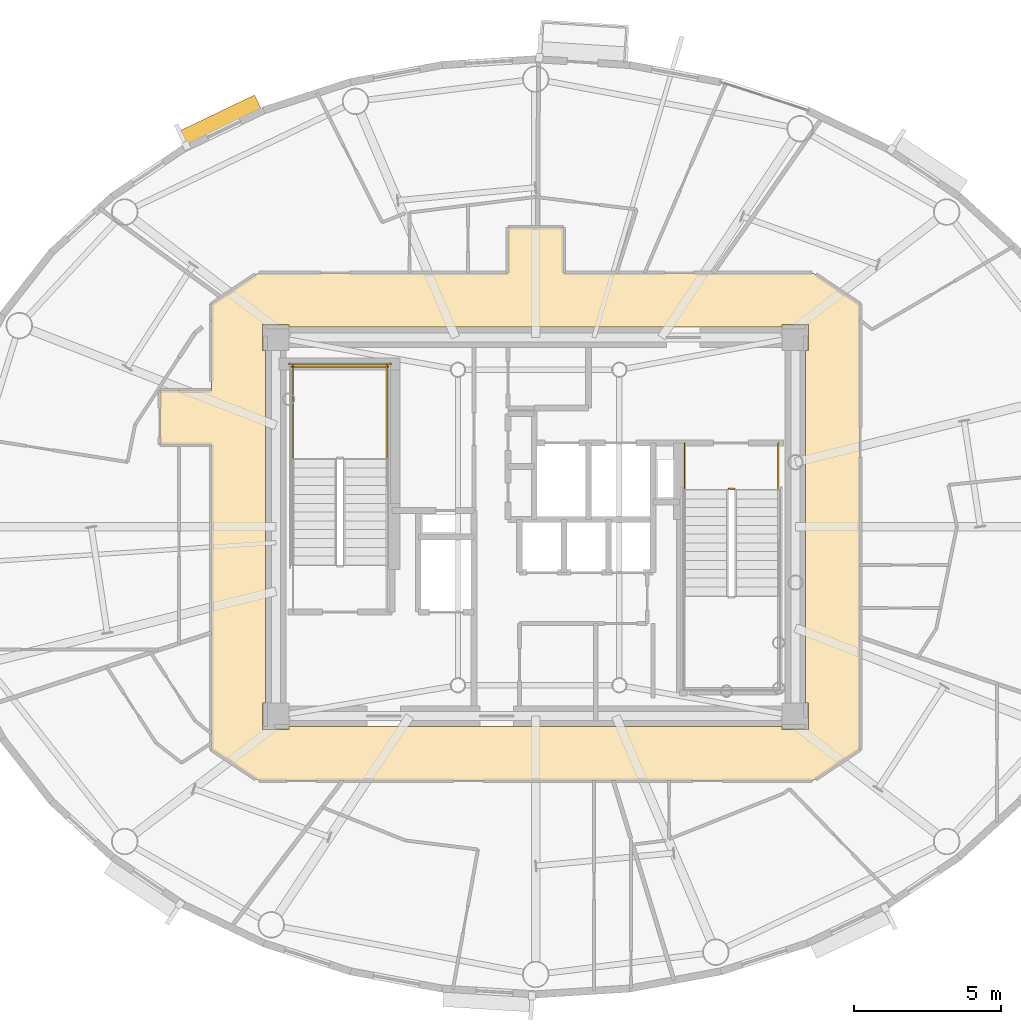
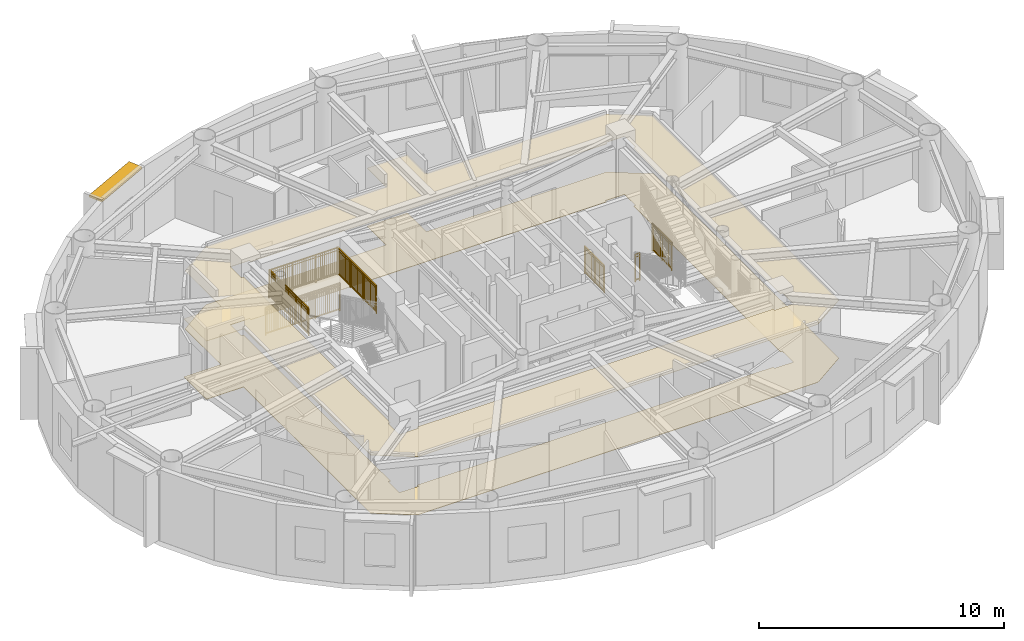
# One storey, part 16 of 17: 7 railings, 2 coverings, 1 shading device.
"""IFC4 building model written with IfcOpenShell, lengths in metres."""

from ifc_helpers import new_model, si_unit, direction, frame, origin, origin_2d, place, context, subcontext, project, spatial, polyline, rectangle, outline, extrude, source, transform, mapped, material, layer, layer_set, type_object, element, save


model = new_model("IFC4")

# Units and contexts
model_context = context("Model", 3, precision=1e-05, world=origin(), true_north=direction((0.0, 1.0)))
body_context = subcontext(model_context, "Body", "Model", "MODEL_VIEW")
ifc_project = project(units=[si_unit("LENGTHUNIT", "METRE"), si_unit("AREAUNIT", "SQUARE_METRE"), si_unit("VOLUMEUNIT", "CUBIC_METRE"), si_unit("PLANEANGLEUNIT", "RADIAN"), si_unit("MASSUNIT", "GRAM", prefix="KILO")], contexts=[model_context])

# Site, building, storey
site_placement = place(None, origin())
site = spatial("IfcSite", under=ifc_project, at=site_placement, CompositionType="ELEMENT")
building_placement = place(site_placement, origin())
building = spatial("IfcBuilding", under=site, at=building_placement, Name="Linh Dai School and Residence Tower", CompositionType="ELEMENT")
storey_placement = place(building_placement, frame((0.0, 0.0, 331.60009765625)))
storey = spatial("IfcBuildingStorey", under=building, at=storey_placement, Name="L82", CompositionType="ELEMENT", Elevation=331.60009765625)

# Coverings
ifc_material_1 = material(Name="Mineral Fibre Acoustic Suspended Ceiling", Category="masonry")
ifc_layer_1 = layer(ifc_material_1, 0.02001953125)
ifc_layer_set_1 = layer_set([ifc_layer_1], Name="Mineral Fibre Acoustic Suspended Ceiling")
covering_type_1 = type_object("IfcCoveringType", Name="COV-CEIL-AC-20", PredefinedType="CEILING", material=ifc_layer_set_1)
covering_1_placement = place(storey_placement, frame((0.0, 0.0, 2.89990234375)))
element("IfcCovering", 1, at=covering_1_placement, inside=storey, type_object=covering_type_1, Name="L82 Residential Floor Corridor Suspended Ceiling", PredefinedType="CEILING", context=body_context, shape_type="SweptSolid", body=[
    extrude(outline(polyline([(23.199951171875, 31.64990234375), (24.949951171875, 31.64990234375), (24.949951171875, 34.58251953125), (26.458740234375, 35.591796875), (26.580078125, 35.64990234375), (35.050048828125, 35.64990234375), (35.050048828125, 37.199951171875), (36.949951171875, 37.199951171875), (36.949951171875, 35.64990234375), (45.419921875, 35.64990234375), (45.541259765625, 35.591796875), (47.050048828125, 34.58251953125), (47.050048828125, 19.41748046875), (45.541259765625, 18.408203125), (45.419921875, 18.35009765625), (26.580078125, 18.35009765625), (26.458740234375, 18.408203125), (24.949951171875, 19.41748046875), (24.949951171875, 29.800048828125), (23.199951171875, 29.800048828125), (23.199951171875, 31.64990234375)]), holes=[polyline([(27.60009765625, 33.800048828125), (27.60009765625, 33.89990234375), (26.699951171875, 33.89990234375), (26.699951171875, 33.0), (26.800048828125, 33.0), (26.800048828125, 21.0), (26.699951171875, 21.0), (26.699951171875, 20.10009765625), (27.60009765625, 20.10009765625), (27.60009765625, 20.199951171875), (44.39990234375, 20.199951171875), (44.39990234375, 20.10009765625), (45.300048828125, 20.10009765625), (45.300048828125, 21.0), (45.199951171875, 21.0), (45.199951171875, 33.0), (45.300048828125, 33.0), (45.300048828125, 33.89990234375), (44.39990234375, 33.89990234375), (44.39990234375, 33.800048828125), (27.60009765625, 33.800048828125)])]), origin(), (0.0, 0.0, 1.0), 0.02001953125),
])
ifc_material_2 = material(Name="Polished Terrazzo Floor Finish", Category="masonry")
ifc_layer_2 = layer(ifc_material_2, 0.02490234375)
ifc_layer_set_2 = layer_set([ifc_layer_2], Name="Polished Terrazzo Floor Finish")
covering_type_2 = type_object("IfcCoveringType", Name="COV-FLR-TRZ-25", PredefinedType="FLOORING", material=ifc_layer_set_2)
covering_2_placement = place(storey_placement, origin())
element("IfcCovering", 2, at=covering_2_placement, inside=storey, type_object=covering_type_2, Name="L82 Residential Floor Corridor Floor Finish", PredefinedType="FLOORING", context=body_context, shape_type="SweptSolid", body=[
    extrude(outline(polyline([(23.199951171875, 31.64990234375), (24.949951171875, 31.64990234375), (24.949951171875, 34.58251953125), (26.458740234375, 35.591796875), (26.580078125, 35.64990234375), (35.050048828125, 35.64990234375), (35.050048828125, 37.199951171875), (36.949951171875, 37.199951171875), (36.949951171875, 35.64990234375), (45.419921875, 35.64990234375), (45.541259765625, 35.591796875), (47.050048828125, 34.58251953125), (47.050048828125, 19.41748046875), (45.541259765625, 18.408203125), (45.419921875, 18.35009765625), (26.580078125, 18.35009765625), (26.458740234375, 18.408203125), (24.949951171875, 19.41748046875), (24.949951171875, 29.800048828125), (23.199951171875, 29.800048828125), (23.199951171875, 31.64990234375)]), holes=[polyline([(27.60009765625, 33.800048828125), (27.60009765625, 33.89990234375), (26.699951171875, 33.89990234375), (26.699951171875, 33.0), (26.800048828125, 33.0), (26.800048828125, 21.0), (26.699951171875, 21.0), (26.699951171875, 20.10009765625), (27.60009765625, 20.10009765625), (27.60009765625, 20.199951171875), (44.39990234375, 20.199951171875), (44.39990234375, 20.10009765625), (45.300048828125, 20.10009765625), (45.300048828125, 21.0), (45.199951171875, 21.0), (45.199951171875, 33.0), (45.300048828125, 33.0), (45.300048828125, 33.89990234375), (44.39990234375, 33.89990234375), (44.39990234375, 33.800048828125), (27.60009765625, 33.800048828125)])]), origin(), (0.0, 0.0, 1.0), 0.02001953125),
])

# Shading device
ifc_material_3 = material(Name="Terracotta Ceramic Sunshade", Category="masonry")
ifc_layer_3 = layer(ifc_material_3, 0.10009765625)
ifc_layer_set_3 = layer_set([ifc_layer_3], Name="Terracotta Ceramic Sunshade")
shading_device_type = type_object("IfcShadingDeviceType", Name="SHD-TC-650", PredefinedType="USERDEFINED", material=ifc_layer_set_3)
shared_shape_1 = source(origin(), body_context, "Body", "SweptSolid", [
    extrude(rectangle(XDim=2.904052734375, YDim=0.64990234375, at=origin_2d()), origin(), (0.0, 0.0, 1.0), 0.10009765625),
])
shading_device_placement = place(storey_placement, frame((25.25244140625, 40.79150390625, 3.429931640625), z_axis=(0.0, 0.0, 1.0), x_axis=(0.901550652892, 0.432673572418, 0.0)))
element("IfcShadingDevice", 3, at=shading_device_placement, inside=storey, type_object=shading_device_type, Name="L82 Terracotta Horizontal Sunshade Band 14", ObjectType="SUNSHADE", PredefinedType="USERDEFINED", context=body_context, shape_type="MappedRepresentation", body=[
    mapped(shared_shape_1, transform((0.0, 0.0, 0.0), x_axis=(1.0, 0.0, 0.0), y_axis=(0.0, 1.0, 0.0), z_axis=(0.0, 0.0, 1.0), scale=1.0)),
])

# Railings
ifc_material_4 = material(Name="Structural Steel S355JR", Category="steel")
railing_type = type_object("IfcRailingType", Name="RL-ST-GUARD-1400", PredefinedType="GUARDRAIL", material=ifc_material_4)
shared_shape_2 = source(origin(), body_context, "Body", "SweptSolid", [
    extrude(rectangle(XDim=0.048095703125, YDim=0.048095703125, at=origin_2d()), frame((0.0, 0.0, 1.3759765625), z_axis=(-1.0, 0.0, 0.0), x_axis=(0.0, -1.0, 0.0)), (0.0, 0.0, 1.0), 3.300048828125),
    extrude(rectangle(XDim=0.048095703125, YDim=0.048095703125, at=origin_2d()), frame((0.0, 0.0, 0.10009765625), z_axis=(-1.0, 0.0, 0.0), x_axis=(0.0, -1.0, 0.0)), (0.0, 0.0, 1.0), 3.300048828125),
    extrude(rectangle(XDim=0.030029296875, YDim=0.030029296875, at=origin_2d()), frame((0.0, 0.0, 1.239990234375), z_axis=(-1.0, 0.0, 0.0), x_axis=(0.0, -1.0, 0.0)), (0.0, 0.0, 1.0), 3.300048828125),
    extrude(rectangle(XDim=0.02001953125, YDim=0.02001953125, at=origin_2d()), frame((-0.09716796875, 0.0, 0.10009765625)), (0.0, 0.0, 1.0), 1.251708984375),
    extrude(rectangle(XDim=0.02001953125, YDim=0.02001953125, at=origin_2d()), frame((-0.194091796875, 0.0, 0.10009765625)), (0.0, 0.0, 1.0), 1.251708984375),
    extrude(rectangle(XDim=0.02001953125, YDim=0.02001953125, at=origin_2d()), frame((-0.291259765625, 0.0, 0.10009765625)), (0.0, 0.0, 1.0), 1.251708984375),
    extrude(rectangle(XDim=0.02001953125, YDim=0.02001953125, at=origin_2d()), frame((-0.38818359375, 0.0, 0.10009765625)), (0.0, 0.0, 1.0), 1.251708984375),
    extrude(rectangle(XDim=0.02001953125, YDim=0.02001953125, at=origin_2d()), frame((-0.4853515625, 0.0, 0.10009765625)), (0.0, 0.0, 1.0), 1.251708984375),
    extrude(rectangle(XDim=0.02001953125, YDim=0.02001953125, at=origin_2d()), frame((-0.582275390625, 0.0, 0.10009765625)), (0.0, 0.0, 1.0), 1.251708984375),
    extrude(rectangle(XDim=0.02001953125, YDim=0.02001953125, at=origin_2d()), frame((-0.679443359375, 0.0, 0.10009765625)), (0.0, 0.0, 1.0), 1.251708984375),
    extrude(rectangle(XDim=0.02001953125, YDim=0.02001953125, at=origin_2d()), frame((-0.7763671875, 0.0, 0.10009765625)), (0.0, 0.0, 1.0), 1.251708984375),
    extrude(rectangle(XDim=0.02001953125, YDim=0.02001953125, at=origin_2d()), frame((-0.87353515625, 0.0, 0.10009765625)), (0.0, 0.0, 1.0), 1.251708984375),
    extrude(rectangle(XDim=0.02001953125, YDim=0.02001953125, at=origin_2d()), frame((-0.970703125, 0.0, 0.10009765625)), (0.0, 0.0, 1.0), 1.251708984375),
    extrude(rectangle(XDim=0.02001953125, YDim=0.02001953125, at=origin_2d()), frame((-1.164794921875, 0.0, 0.10009765625)), (0.0, 0.0, 1.0), 1.251708984375),
    extrude(rectangle(XDim=0.02001953125, YDim=0.02001953125, at=origin_2d()), frame((-1.26171875, 0.0, 0.10009765625)), (0.0, 0.0, 1.0), 1.251708984375),
    extrude(rectangle(XDim=0.02001953125, YDim=0.02001953125, at=origin_2d()), frame((-1.35888671875, 0.0, 0.10009765625)), (0.0, 0.0, 1.0), 1.251708984375),
    extrude(rectangle(XDim=0.02001953125, YDim=0.02001953125, at=origin_2d()), frame((-1.455810546875, 0.0, 0.10009765625)), (0.0, 0.0, 1.0), 1.251708984375),
    extrude(rectangle(XDim=0.02001953125, YDim=0.02001953125, at=origin_2d()), frame((-1.552978515625, 0.0, 0.10009765625)), (0.0, 0.0, 1.0), 1.251708984375),
    extrude(rectangle(XDim=0.02001953125, YDim=0.02001953125, at=origin_2d()), frame((-1.64990234375, 0.0, 0.10009765625)), (0.0, 0.0, 1.0), 1.251708984375),
    extrude(rectangle(XDim=0.02001953125, YDim=0.02001953125, at=origin_2d()), frame((-1.7470703125, 0.0, 0.10009765625)), (0.0, 0.0, 1.0), 1.251708984375),
    extrude(rectangle(XDim=0.02001953125, YDim=0.02001953125, at=origin_2d()), frame((-1.84423828125, 0.0, 0.10009765625)), (0.0, 0.0, 1.0), 1.251708984375),
    extrude(rectangle(XDim=0.02001953125, YDim=0.02001953125, at=origin_2d()), frame((-1.941162109375, 0.0, 0.10009765625)), (0.0, 0.0, 1.0), 1.251708984375),
    extrude(rectangle(XDim=0.02001953125, YDim=0.02001953125, at=origin_2d()), frame((-2.038330078125, 0.0, 0.10009765625)), (0.0, 0.0, 1.0), 1.251708984375),
    extrude(rectangle(XDim=0.02001953125, YDim=0.02001953125, at=origin_2d()), frame((-2.13525390625, 0.0, 0.10009765625)), (0.0, 0.0, 1.0), 1.251708984375),
    extrude(rectangle(XDim=0.02001953125, YDim=0.02001953125, at=origin_2d()), frame((-2.329345703125, 0.0, 0.10009765625)), (0.0, 0.0, 1.0), 1.251708984375),
    extrude(rectangle(XDim=0.02001953125, YDim=0.02001953125, at=origin_2d()), frame((-2.426513671875, 0.0, 0.10009765625)), (0.0, 0.0, 1.0), 1.251708984375),
    extrude(rectangle(XDim=0.02001953125, YDim=0.02001953125, at=origin_2d()), frame((-2.523681640625, 0.0, 0.10009765625)), (0.0, 0.0, 1.0), 1.251708984375),
    extrude(rectangle(XDim=0.02001953125, YDim=0.02001953125, at=origin_2d()), frame((-2.62060546875, 0.0, 0.10009765625)), (0.0, 0.0, 1.0), 1.251708984375),
    extrude(rectangle(XDim=0.02001953125, YDim=0.02001953125, at=origin_2d()), frame((-2.7177734375, 0.0, 0.10009765625)), (0.0, 0.0, 1.0), 1.251708984375),
    extrude(rectangle(XDim=0.02001953125, YDim=0.02001953125, at=origin_2d()), frame((-2.814697265625, 0.0, 0.10009765625)), (0.0, 0.0, 1.0), 1.251708984375),
    extrude(rectangle(XDim=0.02001953125, YDim=0.02001953125, at=origin_2d()), frame((-2.911865234375, 0.0, 0.10009765625)), (0.0, 0.0, 1.0), 1.251708984375),
    extrude(rectangle(XDim=0.02001953125, YDim=0.02001953125, at=origin_2d()), frame((-3.0087890625, 0.0, 0.10009765625)), (0.0, 0.0, 1.0), 1.251708984375),
    extrude(rectangle(XDim=0.02001953125, YDim=0.02001953125, at=origin_2d()), frame((-3.10595703125, 0.0, 0.10009765625)), (0.0, 0.0, 1.0), 1.251708984375),
    extrude(rectangle(XDim=0.02001953125, YDim=0.02001953125, at=origin_2d()), frame((-3.202880859375, 0.0, 0.10009765625)), (0.0, 0.0, 1.0), 1.251708984375),
    extrude(rectangle(XDim=0.0419921875, YDim=0.0419921875, at=origin_2d()), origin(), (0.0, 0.0, 1.0), 1.3759765625),
    extrude(rectangle(XDim=0.0419921875, YDim=0.0419921875, at=origin_2d()), frame((-1.10009765625, 0.0, 0.0)), (0.0, 0.0, 1.0), 1.3759765625),
    extrude(rectangle(XDim=0.0419921875, YDim=0.0419921875, at=origin_2d()), frame((-2.199951171875, 0.0, 0.0)), (0.0, 0.0, 1.0), 1.3759765625),
    extrude(rectangle(XDim=0.0419921875, YDim=0.0419921875, at=origin_2d()), frame((-3.300048828125, 0.0, 0.0)), (0.0, 0.0, 1.0), 1.3759765625),
])
railing_1_placement = place(storey_placement, frame((30.97998046875, 32.449951171875, 1.89990234375)))
element("IfcRailing", 4, at=railing_1_placement, inside=storey, type_object=railing_type, Name="L82 ST1 stair guard 5", PredefinedType="GUARDRAIL", context=body_context, shape_type="MappedRepresentation", body=[
    mapped(shared_shape_2, transform((0.0, 0.0, 0.0), x_axis=(1.0, 0.0, 0.0), y_axis=(0.0, 1.0, 0.0), z_axis=(0.0, 0.0, 1.0), scale=1.0)),
])
shared_shape_3 = source(origin(), body_context, "Body", "SweptSolid", [
    extrude(rectangle(XDim=0.048095703125, YDim=0.048095703125, at=origin_2d()), frame((0.0, 0.0, 1.3759765625), z_axis=(-1.0, 0.0, 0.0), x_axis=(0.0, -1.0, 0.0)), (0.0, 0.0, 1.0), 3.5),
    extrude(rectangle(XDim=0.048095703125, YDim=0.048095703125, at=origin_2d()), frame((0.0, 0.0, 0.10009765625), z_axis=(-1.0, 0.0, 0.0), x_axis=(0.0, -1.0, 0.0)), (0.0, 0.0, 1.0), 3.5),
    extrude(rectangle(XDim=0.030029296875, YDim=0.030029296875, at=origin_2d()), frame((0.0, 0.0, 1.239990234375), z_axis=(-1.0, 0.0, 0.0), x_axis=(0.0, -1.0, 0.0)), (0.0, 0.0, 1.0), 3.5),
    extrude(rectangle(XDim=0.02001953125, YDim=0.02001953125, at=origin_2d()), frame((-0.09716796875, 0.0, 0.10009765625)), (0.0, 0.0, 1.0), 1.251708984375),
    extrude(rectangle(XDim=0.02001953125, YDim=0.02001953125, at=origin_2d()), frame((-0.1943359375, 0.0, 0.10009765625)), (0.0, 0.0, 1.0), 1.251708984375),
    extrude(rectangle(XDim=0.02001953125, YDim=0.02001953125, at=origin_2d()), frame((-0.291748046875, 0.0, 0.10009765625)), (0.0, 0.0, 1.0), 1.251708984375),
    extrude(rectangle(XDim=0.02001953125, YDim=0.02001953125, at=origin_2d()), frame((-0.388916015625, 0.0, 0.10009765625)), (0.0, 0.0, 1.0), 1.251708984375),
    extrude(rectangle(XDim=0.02001953125, YDim=0.02001953125, at=origin_2d()), frame((-0.486083984375, 0.0, 0.10009765625)), (0.0, 0.0, 1.0), 1.251708984375),
    extrude(rectangle(XDim=0.02001953125, YDim=0.02001953125, at=origin_2d()), frame((-0.583251953125, 0.0, 0.10009765625)), (0.0, 0.0, 1.0), 1.251708984375),
    extrude(rectangle(XDim=0.02001953125, YDim=0.02001953125, at=origin_2d()), frame((-0.6806640625, 0.0, 0.10009765625)), (0.0, 0.0, 1.0), 1.251708984375),
    extrude(rectangle(XDim=0.02001953125, YDim=0.02001953125, at=origin_2d()), frame((-0.77783203125, 0.0, 0.10009765625)), (0.0, 0.0, 1.0), 1.251708984375),
    extrude(rectangle(XDim=0.02001953125, YDim=0.02001953125, at=origin_2d()), frame((-0.875, 0.0, 0.10009765625)), (0.0, 0.0, 1.0), 1.251708984375),
    extrude(rectangle(XDim=0.02001953125, YDim=0.02001953125, at=origin_2d()), frame((-0.97216796875, 0.0, 0.10009765625)), (0.0, 0.0, 1.0), 1.251708984375),
    extrude(rectangle(XDim=0.02001953125, YDim=0.02001953125, at=origin_2d()), frame((-1.0693359375, 0.0, 0.10009765625)), (0.0, 0.0, 1.0), 1.251708984375),
    extrude(rectangle(XDim=0.02001953125, YDim=0.02001953125, at=origin_2d()), frame((-1.263916015625, 0.0, 0.10009765625)), (0.0, 0.0, 1.0), 1.251708984375),
    extrude(rectangle(XDim=0.02001953125, YDim=0.02001953125, at=origin_2d()), frame((-1.361083984375, 0.0, 0.10009765625)), (0.0, 0.0, 1.0), 1.251708984375),
    extrude(rectangle(XDim=0.02001953125, YDim=0.02001953125, at=origin_2d()), frame((-1.458251953125, 0.0, 0.10009765625)), (0.0, 0.0, 1.0), 1.251708984375),
    extrude(rectangle(XDim=0.02001953125, YDim=0.02001953125, at=origin_2d()), frame((-1.5556640625, 0.0, 0.10009765625)), (0.0, 0.0, 1.0), 1.251708984375),
    extrude(rectangle(XDim=0.02001953125, YDim=0.02001953125, at=origin_2d()), frame((-1.65283203125, 0.0, 0.10009765625)), (0.0, 0.0, 1.0), 1.251708984375),
    extrude(rectangle(XDim=0.02001953125, YDim=0.02001953125, at=origin_2d()), frame((-1.75, 0.0, 0.10009765625)), (0.0, 0.0, 1.0), 1.251708984375),
    extrude(rectangle(XDim=0.02001953125, YDim=0.02001953125, at=origin_2d()), frame((-1.84716796875, 0.0, 0.10009765625)), (0.0, 0.0, 1.0), 1.251708984375),
    extrude(rectangle(XDim=0.02001953125, YDim=0.02001953125, at=origin_2d()), frame((-1.9443359375, 0.0, 0.10009765625)), (0.0, 0.0, 1.0), 1.251708984375),
    extrude(rectangle(XDim=0.02001953125, YDim=0.02001953125, at=origin_2d()), frame((-2.041748046875, 0.0, 0.10009765625)), (0.0, 0.0, 1.0), 1.251708984375),
    extrude(rectangle(XDim=0.02001953125, YDim=0.02001953125, at=origin_2d()), frame((-2.138916015625, 0.0, 0.10009765625)), (0.0, 0.0, 1.0), 1.251708984375),
    extrude(rectangle(XDim=0.02001953125, YDim=0.02001953125, at=origin_2d()), frame((-2.236083984375, 0.0, 0.10009765625)), (0.0, 0.0, 1.0), 1.251708984375),
    extrude(rectangle(XDim=0.02001953125, YDim=0.02001953125, at=origin_2d()), frame((-2.4306640625, 0.0, 0.10009765625)), (0.0, 0.0, 1.0), 1.251708984375),
    extrude(rectangle(XDim=0.02001953125, YDim=0.02001953125, at=origin_2d()), frame((-2.52783203125, 0.0, 0.10009765625)), (0.0, 0.0, 1.0), 1.251708984375),
    extrude(rectangle(XDim=0.02001953125, YDim=0.02001953125, at=origin_2d()), frame((-2.625, 0.0, 0.10009765625)), (0.0, 0.0, 1.0), 1.251708984375),
    extrude(rectangle(XDim=0.02001953125, YDim=0.02001953125, at=origin_2d()), frame((-2.72216796875, 0.0, 0.10009765625)), (0.0, 0.0, 1.0), 1.251708984375),
    extrude(rectangle(XDim=0.02001953125, YDim=0.02001953125, at=origin_2d()), frame((-2.8193359375, 0.0, 0.10009765625)), (0.0, 0.0, 1.0), 1.251708984375),
    extrude(rectangle(XDim=0.02001953125, YDim=0.02001953125, at=origin_2d()), frame((-2.916748046875, 0.0, 0.10009765625)), (0.0, 0.0, 1.0), 1.251708984375),
    extrude(rectangle(XDim=0.02001953125, YDim=0.02001953125, at=origin_2d()), frame((-3.013916015625, 0.0, 0.10009765625)), (0.0, 0.0, 1.0), 1.251708984375),
    extrude(rectangle(XDim=0.02001953125, YDim=0.02001953125, at=origin_2d()), frame((-3.111083984375, 0.0, 0.10009765625)), (0.0, 0.0, 1.0), 1.251708984375),
    extrude(rectangle(XDim=0.02001953125, YDim=0.02001953125, at=origin_2d()), frame((-3.208251953125, 0.0, 0.10009765625)), (0.0, 0.0, 1.0), 1.251708984375),
    extrude(rectangle(XDim=0.02001953125, YDim=0.02001953125, at=origin_2d()), frame((-3.3056640625, 0.0, 0.10009765625)), (0.0, 0.0, 1.0), 1.251708984375),
    extrude(rectangle(XDim=0.02001953125, YDim=0.02001953125, at=origin_2d()), frame((-3.40283203125, 0.0, 0.10009765625)), (0.0, 0.0, 1.0), 1.251708984375),
    extrude(rectangle(XDim=0.0419921875, YDim=0.0419921875, at=origin_2d()), origin(), (0.0, 0.0, 1.0), 1.3759765625),
    extrude(rectangle(XDim=0.0419921875, YDim=0.0419921875, at=origin_2d()), frame((-1.166748046875, 0.0, 0.0)), (0.0, 0.0, 1.0), 1.3759765625),
    extrude(rectangle(XDim=0.0419921875, YDim=0.0419921875, at=origin_2d()), frame((-2.333251953125, 0.0, 0.0)), (0.0, 0.0, 1.0), 1.3759765625),
    extrude(rectangle(XDim=0.0419921875, YDim=0.0419921875, at=origin_2d()), frame((-3.5, 0.0, 0.0)), (0.0, 0.0, 1.0), 1.3759765625),
])
railing_2_placement = place(storey_placement, frame((31.080078125, 32.550048828125, 0.0)))
element("IfcRailing", 5, at=railing_2_placement, inside=storey, type_object=railing_type, Name="L82 ST1 stair guard 12", PredefinedType="GUARDRAIL", context=body_context, shape_type="MappedRepresentation", body=[
    mapped(shared_shape_3, transform((0.0, 0.0, 0.0), x_axis=(1.0, 0.0, 0.0), y_axis=(0.0, 1.0, 0.0), z_axis=(0.0, 0.0, 1.0), scale=1.0)),
])
shared_shape_4 = source(origin(), body_context, "Body", "SweptSolid", [
    extrude(rectangle(XDim=0.048095703125, YDim=0.048095703125, at=origin_2d()), frame((0.0, 0.0, 1.3759765625), z_axis=(0.0, 1.0, 0.0), x_axis=(-1.0, 0.0, 0.0)), (0.0, 0.0, 1.0), 3.199951171875),
    extrude(rectangle(XDim=0.048095703125, YDim=0.048095703125, at=origin_2d()), frame((0.0, 0.0, 0.10009765625), z_axis=(0.0, 1.0, 0.0), x_axis=(-1.0, 0.0, 0.0)), (0.0, 0.0, 1.0), 3.199951171875),
    extrude(rectangle(XDim=0.030029296875, YDim=0.030029296875, at=origin_2d()), frame((0.0, 0.0, 1.239990234375), z_axis=(0.0, 1.0, 0.0), x_axis=(-1.0, 0.0, 0.0)), (0.0, 0.0, 1.0), 3.199951171875),
    extrude(rectangle(XDim=0.02001953125, YDim=0.02001953125, at=origin_2d()), frame((0.0, 0.096923828125, 0.10009765625)), (0.0, 0.0, 1.0), 1.251708984375),
    extrude(rectangle(XDim=0.02001953125, YDim=0.02001953125, at=origin_2d()), frame((0.0, 0.19384765625, 0.10009765625)), (0.0, 0.0, 1.0), 1.251708984375),
    extrude(rectangle(XDim=0.02001953125, YDim=0.02001953125, at=origin_2d()), frame((0.0, 0.291015625, 0.10009765625)), (0.0, 0.0, 1.0), 1.251708984375),
    extrude(rectangle(XDim=0.02001953125, YDim=0.02001953125, at=origin_2d()), frame((0.0, 0.387939453125, 0.10009765625)), (0.0, 0.0, 1.0), 1.251708984375),
    extrude(rectangle(XDim=0.02001953125, YDim=0.02001953125, at=origin_2d()), frame((0.0, 0.48486328125, 0.10009765625)), (0.0, 0.0, 1.0), 1.251708984375),
    extrude(rectangle(XDim=0.02001953125, YDim=0.02001953125, at=origin_2d()), frame((0.0, 0.581787109375, 0.10009765625)), (0.0, 0.0, 1.0), 1.251708984375),
    extrude(rectangle(XDim=0.02001953125, YDim=0.02001953125, at=origin_2d()), frame((0.0, 0.6787109375, 0.10009765625)), (0.0, 0.0, 1.0), 1.251708984375),
    extrude(rectangle(XDim=0.02001953125, YDim=0.02001953125, at=origin_2d()), frame((0.0, 0.775634765625, 0.10009765625)), (0.0, 0.0, 1.0), 1.251708984375),
    extrude(rectangle(XDim=0.02001953125, YDim=0.02001953125, at=origin_2d()), frame((0.0, 0.872802734375, 0.10009765625)), (0.0, 0.0, 1.0), 1.251708984375),
    extrude(rectangle(XDim=0.02001953125, YDim=0.02001953125, at=origin_2d()), frame((0.0, 0.9697265625, 0.10009765625)), (0.0, 0.0, 1.0), 1.251708984375),
    extrude(rectangle(XDim=0.02001953125, YDim=0.02001953125, at=origin_2d()), frame((0.0, 1.16357421875, 0.10009765625)), (0.0, 0.0, 1.0), 1.251708984375),
    extrude(rectangle(XDim=0.02001953125, YDim=0.02001953125, at=origin_2d()), frame((0.0, 1.260498046875, 0.10009765625)), (0.0, 0.0, 1.0), 1.251708984375),
    extrude(rectangle(XDim=0.02001953125, YDim=0.02001953125, at=origin_2d()), frame((0.0, 1.357666015625, 0.10009765625)), (0.0, 0.0, 1.0), 1.251708984375),
    extrude(rectangle(XDim=0.02001953125, YDim=0.02001953125, at=origin_2d()), frame((0.0, 1.45458984375, 0.10009765625)), (0.0, 0.0, 1.0), 1.251708984375),
    extrude(rectangle(XDim=0.02001953125, YDim=0.02001953125, at=origin_2d()), frame((0.0, 1.551513671875, 0.10009765625)), (0.0, 0.0, 1.0), 1.251708984375),
    extrude(rectangle(XDim=0.02001953125, YDim=0.02001953125, at=origin_2d()), frame((0.0, 1.6484375, 0.10009765625)), (0.0, 0.0, 1.0), 1.251708984375),
    extrude(rectangle(XDim=0.02001953125, YDim=0.02001953125, at=origin_2d()), frame((0.0, 1.745361328125, 0.10009765625)), (0.0, 0.0, 1.0), 1.251708984375),
    extrude(rectangle(XDim=0.02001953125, YDim=0.02001953125, at=origin_2d()), frame((0.0, 1.84228515625, 0.10009765625)), (0.0, 0.0, 1.0), 1.251708984375),
    extrude(rectangle(XDim=0.02001953125, YDim=0.02001953125, at=origin_2d()), frame((0.0, 1.939453125, 0.10009765625)), (0.0, 0.0, 1.0), 1.251708984375),
    extrude(rectangle(XDim=0.02001953125, YDim=0.02001953125, at=origin_2d()), frame((0.0, 2.036376953125, 0.10009765625)), (0.0, 0.0, 1.0), 1.251708984375),
    extrude(rectangle(XDim=0.02001953125, YDim=0.02001953125, at=origin_2d()), frame((0.0, 2.230224609375, 0.10009765625)), (0.0, 0.0, 1.0), 1.251708984375),
    extrude(rectangle(XDim=0.02001953125, YDim=0.02001953125, at=origin_2d()), frame((0.0, 2.3271484375, 0.10009765625)), (0.0, 0.0, 1.0), 1.251708984375),
    extrude(rectangle(XDim=0.02001953125, YDim=0.02001953125, at=origin_2d()), frame((0.0, 2.42431640625, 0.10009765625)), (0.0, 0.0, 1.0), 1.251708984375),
    extrude(rectangle(XDim=0.02001953125, YDim=0.02001953125, at=origin_2d()), frame((0.0, 2.521240234375, 0.10009765625)), (0.0, 0.0, 1.0), 1.251708984375),
    extrude(rectangle(XDim=0.02001953125, YDim=0.02001953125, at=origin_2d()), frame((0.0, 2.6181640625, 0.10009765625)), (0.0, 0.0, 1.0), 1.251708984375),
    extrude(rectangle(XDim=0.02001953125, YDim=0.02001953125, at=origin_2d()), frame((0.0, 2.715087890625, 0.10009765625)), (0.0, 0.0, 1.0), 1.251708984375),
    extrude(rectangle(XDim=0.02001953125, YDim=0.02001953125, at=origin_2d()), frame((0.0, 2.81201171875, 0.10009765625)), (0.0, 0.0, 1.0), 1.251708984375),
    extrude(rectangle(XDim=0.02001953125, YDim=0.02001953125, at=origin_2d()), frame((0.0, 2.908935546875, 0.10009765625)), (0.0, 0.0, 1.0), 1.251708984375),
    extrude(rectangle(XDim=0.02001953125, YDim=0.02001953125, at=origin_2d()), frame((0.0, 3.006103515625, 0.10009765625)), (0.0, 0.0, 1.0), 1.251708984375),
    extrude(rectangle(XDim=0.02001953125, YDim=0.02001953125, at=origin_2d()), frame((0.0, 3.10302734375, 0.10009765625)), (0.0, 0.0, 1.0), 1.251708984375),
    extrude(rectangle(XDim=0.0419921875, YDim=0.0419921875, at=origin_2d()), origin(), (0.0, 0.0, 1.0), 1.3759765625),
    extrude(rectangle(XDim=0.0419921875, YDim=0.0419921875, at=origin_2d()), frame((0.0, 1.066650390625, 0.0)), (0.0, 0.0, 1.0), 1.3759765625),
    extrude(rectangle(XDim=0.0419921875, YDim=0.0419921875, at=origin_2d()), frame((0.0, 2.13330078125, 0.0)), (0.0, 0.0, 1.0), 1.3759765625),
    extrude(rectangle(XDim=0.0419921875, YDim=0.0419921875, at=origin_2d()), frame((0.0, 3.199951171875, 0.0)), (0.0, 0.0, 1.0), 1.3759765625),
])
for number, where, name in (
    (6, (30.929931640625, 29.300048828125, 1.89990234375), "L82 ST1 stair guard 3"),
    (7, (27.72998046875, 29.300048828125, 1.89990234375), "L82 ST1 stair guard 4"),
):
    element("IfcRailing", number, at=place(storey_placement, frame(where)), inside=storey, type_object=railing_type, Name=name, PredefinedType="GUARDRAIL", context=body_context, shape_type="MappedRepresentation", body=[
        mapped(shared_shape_4, transform((0.0, 0.0, 0.0), x_axis=(1.0, 0.0, 0.0), y_axis=(0.0, 1.0, 0.0), z_axis=(0.0, 0.0, 1.0), scale=1.0)),
    ])
shared_shape_5 = source(origin(), body_context, "Body", "SweptSolid", [
    extrude(rectangle(XDim=0.048095703125, YDim=0.048095703125, at=origin_2d()), frame((0.0, 0.0, 1.3759765625), z_axis=(1.0, 0.0, 0.0), x_axis=(0.0, 1.0, 0.0)), (0.0, 0.0, 1.0), 0.199951171875),
    extrude(rectangle(XDim=0.048095703125, YDim=0.048095703125, at=origin_2d()), frame((0.0, 0.0, 0.10009765625), z_axis=(1.0, 0.0, 0.0), x_axis=(0.0, 1.0, 0.0)), (0.0, 0.0, 1.0), 0.199951171875),
    extrude(rectangle(XDim=0.030029296875, YDim=0.030029296875, at=origin_2d()), frame((0.0, 0.0, 1.239990234375), z_axis=(1.0, 0.0, 0.0), x_axis=(0.0, 1.0, 0.0)), (0.0, 0.0, 1.0), 0.199951171875),
    extrude(rectangle(XDim=0.0419921875, YDim=0.0419921875, at=origin_2d()), origin(), (0.0, 0.0, 1.0), 1.3759765625),
    extrude(rectangle(XDim=0.0419921875, YDim=0.0419921875, at=origin_2d()), frame((0.199951171875, 0.0, 0.0)), (0.0, 0.0, 1.0), 1.3759765625),
])
railing_3_placement = place(storey_placement, frame((42.570068359375, 28.300048828125, 0.0)))
element("IfcRailing", 8, at=railing_3_placement, inside=storey, type_object=railing_type, Name="L82 ST2 stair guard 7", PredefinedType="GUARDRAIL", context=body_context, shape_type="MappedRepresentation", body=[
    mapped(shared_shape_5, transform((0.0, 0.0, 0.0), x_axis=(1.0, 0.0, 0.0), y_axis=(0.0, 1.0, 0.0), z_axis=(0.0, 0.0, 1.0), scale=1.0)),
])
shared_shape_6 = source(origin(), body_context, "Body", "SweptSolid", [
    extrude(rectangle(XDim=0.048095703125, YDim=0.048095703125, at=origin_2d()), frame((0.0, 0.0, 1.3759765625), z_axis=(0.0, -1.0, 0.0), x_axis=(1.0, 0.0, 0.0)), (0.0, 0.0, 1.0), 1.60009765625),
    extrude(rectangle(XDim=0.048095703125, YDim=0.048095703125, at=origin_2d()), frame((0.0, 0.0, 0.10009765625), z_axis=(0.0, -1.0, 0.0), x_axis=(1.0, 0.0, 0.0)), (0.0, 0.0, 1.0), 1.60009765625),
    extrude(rectangle(XDim=0.030029296875, YDim=0.030029296875, at=origin_2d()), frame((0.0, 0.0, 1.239990234375), z_axis=(0.0, -1.0, 0.0), x_axis=(1.0, 0.0, 0.0)), (0.0, 0.0, 1.0), 1.60009765625),
    extrude(rectangle(XDim=0.02001953125, YDim=0.02001953125, at=origin_2d()), frame((0.0, -0.09423828125, 0.10009765625)), (0.0, 0.0, 1.0), 1.251708984375),
    extrude(rectangle(XDim=0.02001953125, YDim=0.02001953125, at=origin_2d()), frame((0.0, -0.188232421875, 0.10009765625)), (0.0, 0.0, 1.0), 1.251708984375),
    extrude(rectangle(XDim=0.02001953125, YDim=0.02001953125, at=origin_2d()), frame((0.0, -0.282470703125, 0.10009765625)), (0.0, 0.0, 1.0), 1.251708984375),
    extrude(rectangle(XDim=0.02001953125, YDim=0.02001953125, at=origin_2d()), frame((0.0, -0.37646484375, 0.10009765625)), (0.0, 0.0, 1.0), 1.251708984375),
    extrude(rectangle(XDim=0.02001953125, YDim=0.02001953125, at=origin_2d()), frame((0.0, -0.470703125, 0.10009765625)), (0.0, 0.0, 1.0), 1.251708984375),
    extrude(rectangle(XDim=0.02001953125, YDim=0.02001953125, at=origin_2d()), frame((0.0, -0.564697265625, 0.10009765625)), (0.0, 0.0, 1.0), 1.251708984375),
    extrude(rectangle(XDim=0.02001953125, YDim=0.02001953125, at=origin_2d()), frame((0.0, -0.658935546875, 0.10009765625)), (0.0, 0.0, 1.0), 1.251708984375),
    extrude(rectangle(XDim=0.02001953125, YDim=0.02001953125, at=origin_2d()), frame((0.0, -0.7529296875, 0.10009765625)), (0.0, 0.0, 1.0), 1.251708984375),
    extrude(rectangle(XDim=0.02001953125, YDim=0.02001953125, at=origin_2d()), frame((0.0, -0.84716796875, 0.10009765625)), (0.0, 0.0, 1.0), 1.251708984375),
    extrude(rectangle(XDim=0.02001953125, YDim=0.02001953125, at=origin_2d()), frame((0.0, -0.941162109375, 0.10009765625)), (0.0, 0.0, 1.0), 1.251708984375),
    extrude(rectangle(XDim=0.02001953125, YDim=0.02001953125, at=origin_2d()), frame((0.0, -1.035400390625, 0.10009765625)), (0.0, 0.0, 1.0), 1.251708984375),
    extrude(rectangle(XDim=0.02001953125, YDim=0.02001953125, at=origin_2d()), frame((0.0, -1.12939453125, 0.10009765625)), (0.0, 0.0, 1.0), 1.251708984375),
    extrude(rectangle(XDim=0.02001953125, YDim=0.02001953125, at=origin_2d()), frame((0.0, -1.2236328125, 0.10009765625)), (0.0, 0.0, 1.0), 1.251708984375),
    extrude(rectangle(XDim=0.02001953125, YDim=0.02001953125, at=origin_2d()), frame((0.0, -1.317626953125, 0.10009765625)), (0.0, 0.0, 1.0), 1.251708984375),
    extrude(rectangle(XDim=0.02001953125, YDim=0.02001953125, at=origin_2d()), frame((0.0, -1.411865234375, 0.10009765625)), (0.0, 0.0, 1.0), 1.251708984375),
    extrude(rectangle(XDim=0.02001953125, YDim=0.02001953125, at=origin_2d()), frame((0.0, -1.505859375, 0.10009765625)), (0.0, 0.0, 1.0), 1.251708984375),
    extrude(rectangle(XDim=0.0419921875, YDim=0.0419921875, at=origin_2d()), origin(), (0.0, 0.0, 1.0), 1.3759765625),
    extrude(rectangle(XDim=0.0419921875, YDim=0.0419921875, at=origin_2d()), frame((0.0, -0.800048828125, 0.0)), (0.0, 0.0, 1.0), 1.3759765625),
    extrude(rectangle(XDim=0.0419921875, YDim=0.0419921875, at=origin_2d()), frame((0.0, -1.60009765625, 0.0)), (0.0, 0.0, 1.0), 1.3759765625),
])
for number, where, name in (
    (9, (41.070068359375, 29.85009765625, 0.0), "L82 ST2 stair guard 8"),
    (10, (44.27001953125, 29.85009765625, 0.0), "L82 ST2 stair guard 9"),
):
    element("IfcRailing", number, at=place(storey_placement, frame(where)), inside=storey, type_object=railing_type, Name=name, PredefinedType="GUARDRAIL", context=body_context, shape_type="MappedRepresentation", body=[
        mapped(shared_shape_6, transform((0.0, 0.0, 0.0), x_axis=(1.0, 0.0, 0.0), y_axis=(0.0, 1.0, 0.0), z_axis=(0.0, 0.0, 1.0), scale=1.0)),
    ])

save(model, "model.ifc")
